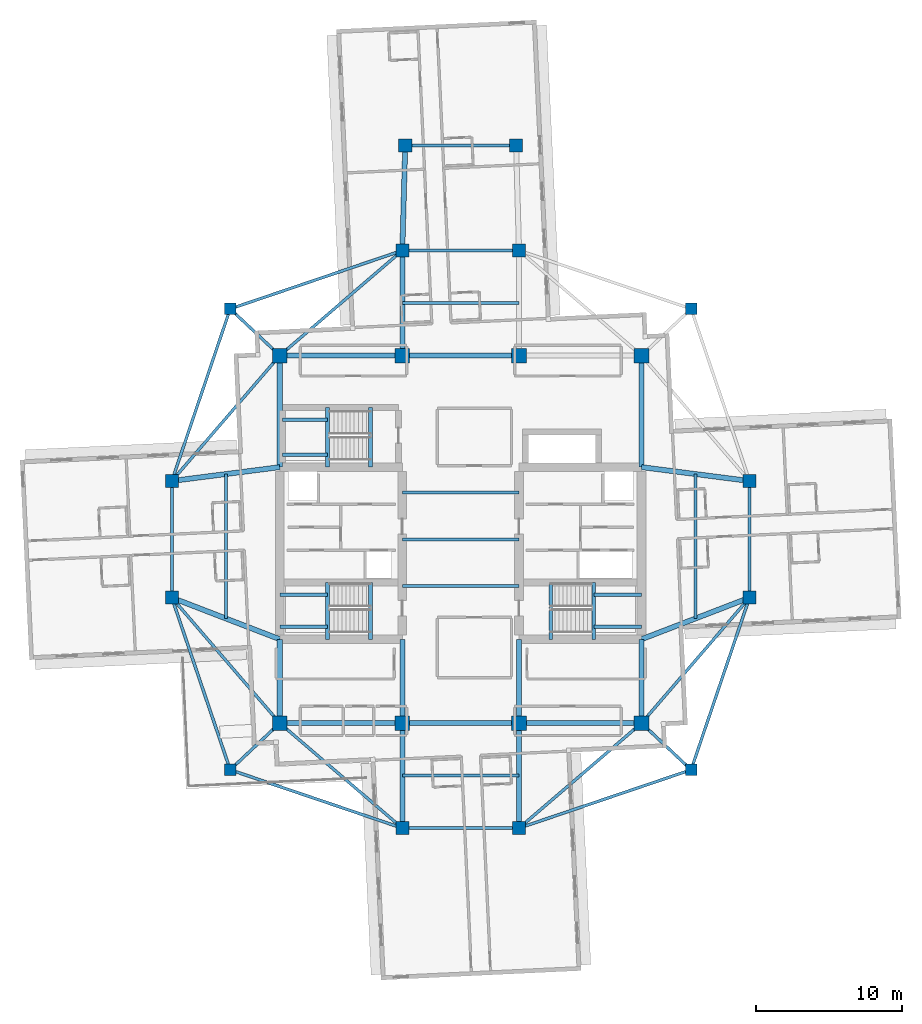
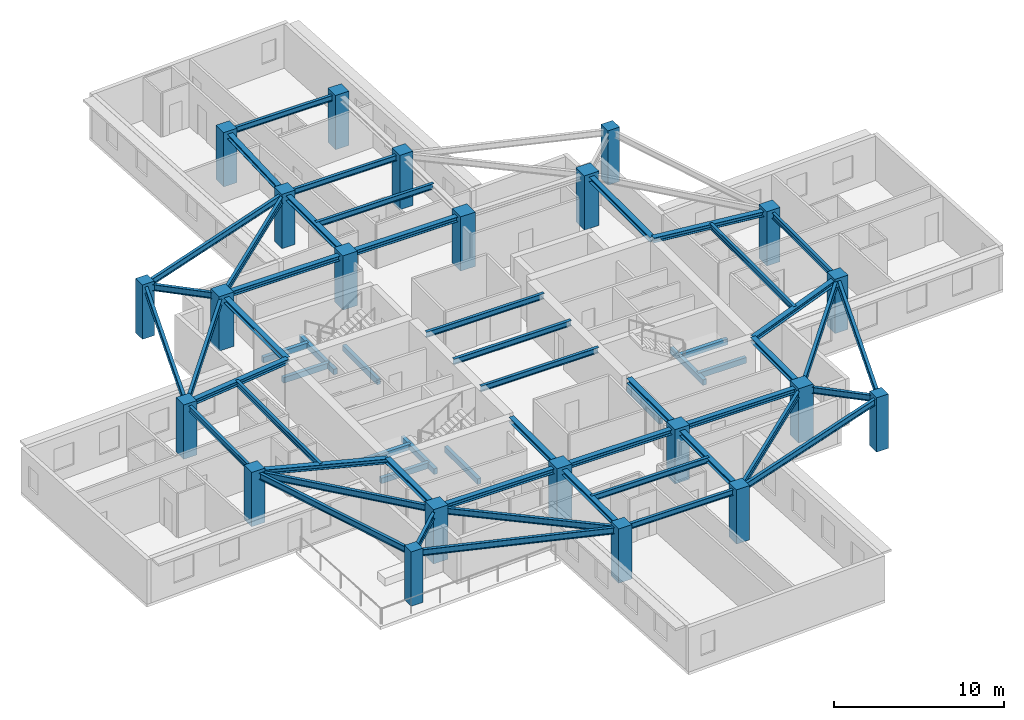
# One storey, part 1 of 12: 58 beams, 22 columns.
"""IFC4 building model written with IfcOpenShell, lengths in metres."""

from ifc_helpers import new_model, si_unit, direction, frame, origin, origin_2d, place, context, subcontext, project, spatial, rectangle, i_section, extrude, material, material_profile, profile_set, type_object, element, save


model = new_model("IFC4")

# Units and contexts
model_context = context("Model", 3, precision=1e-05, world=origin(), true_north=direction((0.0, 1.0)))
body_context = subcontext(model_context, "Body", "Model", "MODEL_VIEW")
ifc_project = project(units=[si_unit("LENGTHUNIT", "METRE"), si_unit("AREAUNIT", "SQUARE_METRE"), si_unit("VOLUMEUNIT", "CUBIC_METRE"), si_unit("PLANEANGLEUNIT", "RADIAN"), si_unit("MASSUNIT", "GRAM", prefix="KILO")], contexts=[model_context])

# Site, building, storey
site_placement = place(None, origin())
site = spatial("IfcSite", under=ifc_project, at=site_placement, CompositionType="ELEMENT")
building_placement = place(site_placement, origin())
building = spatial("IfcBuilding", under=site, at=building_placement, Name="Qingluan Cross Belvedere", CompositionType="ELEMENT")
storey_placement = place(building_placement, frame((0.0, 0.0, 213.0)))
storey = spatial("IfcBuildingStorey", under=building, at=storey_placement, Name="L53", CompositionType="ELEMENT", Elevation=213.0)

# Columns
ifc_material_1 = material(Name="Concrete C50", Category="concrete")
ifc_material_profile_1 = material_profile(ifc_material_1, rectangle(XDim=1.0, YDim=1.0, at=origin_2d()), Name="RC1000x1000")
ifc_profile_set_1 = profile_set([ifc_material_profile_1], Name="Concrete C50")
column_type_1 = type_object("IfcColumnType", Name="Column_RC1000x1000", PredefinedType="COLUMN", material=ifc_profile_set_1)
for number, where, z_axis, x_axis, name in (
    (1, (-12.39990234375, -12.60009765625, 0.0), (0.0, 0.0, 1.0), (1.0, 0.0, 0.0), "Hub column L53-HC1"),
    (2, (12.39990234375, -12.60009765625, 0.0), (0.0, 0.0, 1.0), (1.0, 0.0, 0.0), "Hub column L53-HC2"),
    (3, (12.39990234375, 12.60009765625, 0.0), (0.0, 0.0, 1.0), (1.0, 0.0, 0.0), "Hub column L53-HC3"),
    (4, (-12.39990234375, 12.60009765625, 0.0), (0.0, 0.0, 1.0), (1.0, 0.0, 0.0), "Hub column L53-HC4"),
    (5, (-4.0, -12.60009765625, 0.0), (0.0, 0.0, 1.0), (1.0, 0.0, 0.0), "Hub column L53-HC5"),
    (6, (4.0, -12.60009765625, 0.0), (0.0, 0.0, 1.0), (1.0, 0.0, 0.0), "Hub column L53-HC6"),
    (7, (4.0, 12.60009765625, 0.0), (0.0, 0.0, 1.0), (1.0, 0.0, 0.0), "Hub column L53-HC7"),
    (8, (-4.0, 12.60009765625, 0.0), (0.0, 0.0, 1.0), (1.0, 0.0, 0.0), "Hub column L53-HC8"),
):
    element("IfcColumn", number, at=place(storey_placement, frame(where, z_axis=z_axis, x_axis=x_axis)), inside=storey, type_object=column_type_1, Name=name, PredefinedType="COLUMN", context=body_context, shape_type="SweptSolid", body=[
        extrude(rectangle(XDim=1.0, YDim=1.0, at=origin_2d()), origin(), (0.0, 0.0, 1.0), 3.89990234375),
    ])
ifc_material_2 = material(Name="Concrete C50", Category="concrete")
ifc_material_profile_2 = material_profile(ifc_material_2, rectangle(XDim=0.800048828125, YDim=0.800048828125, at=origin_2d()), Name="RC800x800")
ifc_profile_set_2 = profile_set([ifc_material_profile_2], Name="Concrete C50")
column_type_2 = type_object("IfcColumnType", Name="Column_RC800x800", PredefinedType="COLUMN", material=ifc_profile_set_2)
for number, where, z_axis, x_axis, name in (
    (9, (15.800048828125, 15.800048828125, 0.0), (0.0, 0.0, 1.0), (1.0, 0.0, 0.0), "Corner column L53-RNE"),
    (10, (-15.800048828125, 15.800048828125, 0.0), (0.0, 0.0, 1.0), (1.0, 0.0, 0.0), "Corner column L53-RNW"),
    (11, (-15.800048828125, -15.800048828125, 0.0), (0.0, 0.0, 1.0), (1.0, 0.0, 0.0), "Corner column L53-RSW"),
    (12, (15.800048828125, -15.800048828125, 0.0), (0.0, 0.0, 1.0), (1.0, 0.0, 0.0), "Corner column L53-RSE"),
):
    element("IfcColumn", number, at=place(storey_placement, frame(where, z_axis=z_axis, x_axis=x_axis)), inside=storey, type_object=column_type_2, Name=name, PredefinedType="COLUMN", context=body_context, shape_type="SweptSolid", body=[
        extrude(rectangle(XDim=0.800048828125, YDim=0.800048828125, at=origin_2d()), origin(), (0.0, 0.0, 1.0), 3.89990234375),
    ])
ifc_material_3 = material(Name="Concrete C50", Category="concrete")
ifc_material_profile_3 = material_profile(ifc_material_3, rectangle(XDim=0.89990234375, YDim=0.89990234375, at=origin_2d()), Name="RC900x900")
ifc_profile_set_3 = profile_set([ifc_material_profile_3], Name="Concrete C50")
column_type_3 = type_object("IfcColumnType", Name="Column_RC900x900", PredefinedType="COLUMN", material=ifc_profile_set_3)
for number, where, z_axis, x_axis, name in (
    (13, (19.800048828125, -4.0, 0.0), (0.0, 0.0, 1.0), (1.0, 0.0, 0.0), "Arm column L53-EIA"),
    (14, (19.800048828125, 4.0, 0.0), (0.0, 0.0, 1.0), (1.0, 0.0, 0.0), "Arm column L53-EIB"),
    (15, (-19.800048828125, -4.0, 0.0), (0.0, 0.0, 1.0), (1.0, 0.0, 0.0), "Arm column L53-WIA"),
    (16, (-19.800048828125, 4.0, 0.0), (0.0, 0.0, 1.0), (1.0, 0.0, 0.0), "Arm column L53-WIB"),
    (17, (-4.0, -19.800048828125, 0.0), (0.0, 0.0, 1.0), (1.0, 0.0, 0.0), "Arm column L53-SIA"),
    (18, (4.0, -19.800048828125, 0.0), (0.0, 0.0, 1.0), (1.0, 0.0, 0.0), "Arm column L53-SIB"),
    (19, (-4.0, 19.800048828125, 0.0), (0.0, 0.0, 1.0), (1.0, 0.0, 0.0), "Arm column L53-NIA"),
    (20, (4.0, 19.800048828125, 0.0), (0.0, 0.0, 1.0), (1.0, 0.0, 0.0), "Arm column L53-NIB"),
    (21, (-3.800048828125, 27.0, 0.0), (0.0, 0.0, 1.0), (1.0, 0.0, 0.0), "Arm column L53-NOA"),
    (22, (3.800048828125, 27.0, 0.0), (0.0, 0.0, 1.0), (1.0, 0.0, 0.0), "Arm column L53-NOB"),
):
    element("IfcColumn", number, at=place(storey_placement, frame(where, z_axis=z_axis, x_axis=x_axis)), inside=storey, type_object=column_type_3, Name=name, PredefinedType="COLUMN", context=body_context, shape_type="SweptSolid", body=[
        extrude(rectangle(XDim=0.89990234375, YDim=0.89990234375, at=origin_2d()), origin(), (0.0, 0.0, 1.0), 3.89990234375),
    ])

# Beams
ifc_material_4 = material(Name="Concrete C45", Category="concrete")
ifc_material_profile_4 = material_profile(ifc_material_4, rectangle(XDim=0.25, YDim=0.39990234375, at=origin_2d()), Name="RC250x400")
ifc_profile_set_4 = profile_set([ifc_material_profile_4], Name="Concrete C45")
beam_type_1 = type_object("IfcBeamType", Name="RC_Lintel_RC250x400", PredefinedType="LINTEL", material=ifc_profile_set_4)
for number, where, z_axis, x_axis, name in (
    (23, (-6.179931640625, -6.85009765625, -0.199951171875), (0.0, 1.0, 0.0), (-1.0, 0.0, 0.0), "Stair ST1 landing beam L53"),
    (24, (6.179931640625, -6.85009765625, -0.199951171875), (0.0, 1.0, 0.0), (-1.0, 0.0, 0.0), "Stair ST2 landing beam L53"),
):
    element("IfcBeam", number, at=place(storey_placement, frame(where, z_axis=z_axis, x_axis=x_axis)), inside=storey, type_object=beam_type_1, Name=name, PredefinedType="LINTEL", context=body_context, shape_type="SweptSolid", body=[
        extrude(rectangle(XDim=0.25, YDim=0.39990234375, at=origin_2d()), origin(), (0.0, 0.0, 1.0), 3.89013671875),
    ])
beam_1_placement = place(storey_placement, frame((-6.179931640625, 4.949951171875, -0.199951171875), z_axis=(0.0, 1.0, 0.0), x_axis=(-1.0, 0.0, 0.0)))
element("IfcBeam", 25, at=beam_1_placement, inside=storey, type_object=beam_type_1, Name="Stair ST3 landing beam L53", PredefinedType="LINTEL", context=body_context, shape_type="SweptSolid", body=[
    extrude(rectangle(XDim=0.25, YDim=0.39990234375, at=origin_2d()), origin(), (0.0, 0.0, 1.0), 4.090087890625),
])
beam_2_placement = place(storey_placement, frame((-9.1298828125, -6.85009765625, 1.550048828125), z_axis=(0.0, 1.0, 0.0), x_axis=(-1.0, 0.0, 0.0)))
element("IfcBeam", 26, at=beam_2_placement, inside=storey, type_object=beam_type_1, Name="Stair ST1 beam A L53", PredefinedType="LINTEL", context=body_context, shape_type="SweptSolid", body=[
    extrude(rectangle(XDim=0.25, YDim=0.39990234375, at=origin_2d()), origin(), (0.0, 0.0, 1.0), 3.89013671875),
])
for number, where, z_axis, x_axis, name in (
    (27, (-12.39990234375, -6.0, 1.550048828125), (1.0, 0.0, 0.0), (0.0, 1.0, 0.0), "Stair ST1 beam B L53"),
    (28, (-12.39990234375, -3.81005859375, 1.550048828125), (1.0, 0.0, 0.0), (0.0, 1.0, 0.0), "Stair ST1 beam C L53"),
):
    element("IfcBeam", number, at=place(storey_placement, frame(where, z_axis=z_axis, x_axis=x_axis)), inside=storey, type_object=beam_type_1, Name=name, PredefinedType="LINTEL", context=body_context, shape_type="SweptSolid", body=[
        extrude(rectangle(XDim=0.25, YDim=0.39990234375, at=origin_2d()), origin(), (0.0, 0.0, 1.0), 3.27001953125),
    ])
beam_3_placement = place(storey_placement, frame((9.1298828125, -6.85009765625, 1.550048828125), z_axis=(0.0, 1.0, 0.0), x_axis=(-1.0, 0.0, 0.0)))
element("IfcBeam", 29, at=beam_3_placement, inside=storey, type_object=beam_type_1, Name="Stair ST2 beam A L53", PredefinedType="LINTEL", context=body_context, shape_type="SweptSolid", body=[
    extrude(rectangle(XDim=0.25, YDim=0.39990234375, at=origin_2d()), origin(), (0.0, 0.0, 1.0), 3.89013671875),
])
for number, where, z_axis, x_axis, name in (
    (30, (12.39990234375, -6.0, 1.550048828125), (-1.0, 0.0, 0.0), (0.0, -1.0, 0.0), "Stair ST2 beam B L53"),
    (31, (12.39990234375, -3.81005859375, 1.550048828125), (-1.0, 0.0, 0.0), (0.0, -1.0, 0.0), "Stair ST2 beam C L53"),
):
    element("IfcBeam", number, at=place(storey_placement, frame(where, z_axis=z_axis, x_axis=x_axis)), inside=storey, type_object=beam_type_1, Name=name, PredefinedType="LINTEL", context=body_context, shape_type="SweptSolid", body=[
        extrude(rectangle(XDim=0.25, YDim=0.39990234375, at=origin_2d()), origin(), (0.0, 0.0, 1.0), 3.27001953125),
    ])
beam_4_placement = place(storey_placement, frame((-9.1298828125, 4.949951171875, 1.550048828125), z_axis=(0.0, 1.0, 0.0), x_axis=(-1.0, 0.0, 0.0)))
element("IfcBeam", 32, at=beam_4_placement, inside=storey, type_object=beam_type_1, Name="Stair ST3 beam A L53", PredefinedType="LINTEL", context=body_context, shape_type="SweptSolid", body=[
    extrude(rectangle(XDim=0.25, YDim=0.39990234375, at=origin_2d()), origin(), (0.0, 0.0, 1.0), 4.090087890625),
])
for number, where, z_axis, x_axis, name in (
    (33, (-12.219970703125, 5.800048828125, 1.550048828125), (1.0, 0.0, 0.0), (0.0, 1.0, 0.0), "Stair ST3 beam B L53"),
    (34, (-12.219970703125, 8.18994140625, 1.550048828125), (1.0, 0.0, 0.0), (0.0, 1.0, 0.0), "Stair ST3 beam C L53"),
):
    element("IfcBeam", number, at=place(storey_placement, frame(where, z_axis=z_axis, x_axis=x_axis)), inside=storey, type_object=beam_type_1, Name=name, PredefinedType="LINTEL", context=body_context, shape_type="SweptSolid", body=[
        extrude(rectangle(XDim=0.25, YDim=0.39990234375, at=origin_2d()), origin(), (0.0, 0.0, 1.0), 3.090087890625),
    ])
ifc_material_5 = material(Name="Steel Q420GJB", Category="steel")
ifc_material_profile_5 = material_profile(ifc_material_5, i_section(OverallWidth=0.199951171875, OverallDepth=0.39990234375, WebThickness=0.008056640625, FlangeThickness=0.012939453125, FilletRadius=0.012939453125, at=origin_2d()), Name="HN400x200x8x13")
ifc_profile_set_5 = profile_set([ifc_material_profile_5], Name="Steel Q420GJB")
beam_type_2 = type_object("IfcBeamType", Name="Steel_Beam_HN400x200x8x13", PredefinedType="JOIST", material=ifc_profile_set_5)
for number, where, z_axis, x_axis, name in (
    (35, (-4.0, -3.199951171875, 3.5), (1.0, 0.0, 0.0), (0.0, 1.0, 0.0), "Hall beam L53-CH1"),
    (36, (-4.0, 0.0, 3.5), (1.0, 0.0, 0.0), (0.0, 1.0, 0.0), "Hall beam L53-CH2"),
    (37, (-4.0, 3.199951171875, 3.5), (1.0, 0.0, 0.0), (0.0, 1.0, 0.0), "Hall beam L53-CH3"),
    (38, (19.800048828125, -4.0, 3.5), (0.0, 1.0, 0.0), (-1.0, 0.0, 0.0), "Arm E tie L53"),
):
    element("IfcBeam", number, at=place(storey_placement, frame(where, z_axis=z_axis, x_axis=x_axis)), inside=storey, type_object=beam_type_2, Name=name, PredefinedType="JOIST", context=body_context, shape_type="SweptSolid", body=[
        extrude(i_section(OverallWidth=0.199951171875, OverallDepth=0.39990234375, WebThickness=0.008056640625, FlangeThickness=0.012939453125, FilletRadius=0.012939453125, at=origin_2d()), origin(), (0.0, 0.0, 1.0), 8.0),
    ])
beam_5_placement = place(storey_placement, frame((16.10009765625, -5.425048828125, 3.5), z_axis=(0.0, 1.0, 0.0), x_axis=(-1.0, 0.0, 0.0)))
element("IfcBeam", 39, at=beam_5_placement, inside=storey, type_object=beam_type_2, Name="Arm E beam L53", PredefinedType="JOIST", context=body_context, shape_type="SweptSolid", body=[
    extrude(i_section(OverallWidth=0.199951171875, OverallDepth=0.39990234375, WebThickness=0.008056640625, FlangeThickness=0.012939453125, FilletRadius=0.012939453125, at=origin_2d()), origin(), (0.0, 0.0, 1.0), 9.900146484375),
])
beam_6_placement = place(storey_placement, frame((-19.800048828125, -4.0, 3.5), z_axis=(0.0, 1.0, 0.0), x_axis=(-1.0, 0.0, 0.0)))
element("IfcBeam", 40, at=beam_6_placement, inside=storey, type_object=beam_type_2, Name="Arm W tie L53", PredefinedType="JOIST", context=body_context, shape_type="SweptSolid", body=[
    extrude(i_section(OverallWidth=0.199951171875, OverallDepth=0.39990234375, WebThickness=0.008056640625, FlangeThickness=0.012939453125, FilletRadius=0.012939453125, at=origin_2d()), origin(), (0.0, 0.0, 1.0), 8.0),
])
beam_7_placement = place(storey_placement, frame((-16.10009765625, -5.425048828125, 3.5), z_axis=(0.0, 1.0, 0.0), x_axis=(-1.0, 0.0, 0.0)))
element("IfcBeam", 41, at=beam_7_placement, inside=storey, type_object=beam_type_2, Name="Arm W beam L53", PredefinedType="JOIST", context=body_context, shape_type="SweptSolid", body=[
    extrude(i_section(OverallWidth=0.199951171875, OverallDepth=0.39990234375, WebThickness=0.008056640625, FlangeThickness=0.012939453125, FilletRadius=0.012939453125, at=origin_2d()), origin(), (0.0, 0.0, 1.0), 9.900146484375),
])
for number, where, z_axis, x_axis, name in (
    (42, (-4.0, 19.800048828125, 3.5), (1.0, 0.0, 0.0), (0.0, 1.0, 0.0), "Arm N tie L53"),
    (43, (-4.0, 16.199951171875, 3.5), (1.0, 0.0, 0.0), (0.0, 1.0, 0.0), "Arm N beam L53"),
):
    element("IfcBeam", number, at=place(storey_placement, frame(where, z_axis=z_axis, x_axis=x_axis)), inside=storey, type_object=beam_type_2, Name=name, PredefinedType="JOIST", context=body_context, shape_type="SweptSolid", body=[
        extrude(i_section(OverallWidth=0.199951171875, OverallDepth=0.39990234375, WebThickness=0.008056640625, FlangeThickness=0.012939453125, FilletRadius=0.012939453125, at=origin_2d()), origin(), (0.0, 0.0, 1.0), 8.0),
    ])
beam_8_placement = place(storey_placement, frame((-3.800048828125, 27.0, 3.5), z_axis=(1.0, 0.0, 0.0), x_axis=(0.0, 1.0, 0.0)))
element("IfcBeam", 44, at=beam_8_placement, inside=storey, type_object=beam_type_2, Name="Arm N tip transverse beam L53", PredefinedType="JOIST", context=body_context, shape_type="SweptSolid", body=[
    extrude(i_section(OverallWidth=0.199951171875, OverallDepth=0.39990234375, WebThickness=0.008056640625, FlangeThickness=0.012939453125, FilletRadius=0.012939453125, at=origin_2d()), origin(), (0.0, 0.0, 1.0), 7.60009765625),
])
for number, where, z_axis, x_axis, name in (
    (45, (-4.0, -19.800048828125, 3.5), (1.0, 0.0, 0.0), (0.0, 1.0, 0.0), "Arm S tie L53"),
    (46, (-4.0, -16.199951171875, 3.5), (1.0, 0.0, 0.0), (0.0, 1.0, 0.0), "Arm S beam L53"),
):
    element("IfcBeam", number, at=place(storey_placement, frame(where, z_axis=z_axis, x_axis=x_axis)), inside=storey, type_object=beam_type_2, Name=name, PredefinedType="JOIST", context=body_context, shape_type="SweptSolid", body=[
        extrude(i_section(OverallWidth=0.199951171875, OverallDepth=0.39990234375, WebThickness=0.008056640625, FlangeThickness=0.012939453125, FilletRadius=0.012939453125, at=origin_2d()), origin(), (0.0, 0.0, 1.0), 8.0),
    ])
ifc_material_6 = material(Name="Steel Q420GJB", Category="steel")
ifc_material_profile_6 = material_profile(ifc_material_6, i_section(OverallWidth=0.199951171875, OverallDepth=0.449951171875, WebThickness=0.009033203125, FlangeThickness=0.013916015625, FilletRadius=0.01611328125, at=origin_2d()), Name="HN450x200x9x14")
ifc_profile_set_6 = profile_set([ifc_material_profile_6], Name="Steel Q420GJB")
beam_type_3 = type_object("IfcBeamType", Name="Steel_Beam_HN450x200x9x14", PredefinedType="JOIST", material=ifc_profile_set_6)
beam_9_placement = place(storey_placement, frame((-12.39990234375, 12.60009765625, 3.47509765625), z_axis=(-0.728219948308, 0.685343495546, 0.0), x_axis=(-0.685343495546, -0.728219948308, 0.0)))
element("IfcBeam", 47, at=beam_9_placement, inside=storey, type_object=beam_type_3, Name="Corner beam 1 L53-RNW", PredefinedType="JOIST", context=body_context, shape_type="SweptSolid", body=[
    extrude(i_section(OverallWidth=0.199951171875, OverallDepth=0.449951171875, WebThickness=0.009033203125, FlangeThickness=0.013916015625, FilletRadius=0.01611328125, at=origin_2d()), origin(), (0.0, 0.0, 1.0), 4.669189453125),
])
for number, where, z_axis, x_axis, name in (
    (48, (-15.800048828125, 15.800048828125, 3.47509765625), (0.947066283324, 0.321038089628, 0.0), (-0.321038089628, 0.947066283324, 0.0), "Corner beam 2 L53-RNW"),
    (49, (-15.800048828125, 15.800048828125, 3.47509765625), (-0.321038089628, -0.947066283324, 0.0), (0.947066283324, -0.321038089628, 0.0), "Corner beam 3 L53-RNW"),
):
    element("IfcBeam", number, at=place(storey_placement, frame(where, z_axis=z_axis, x_axis=x_axis)), inside=storey, type_object=beam_type_3, Name=name, PredefinedType="JOIST", context=body_context, shape_type="SweptSolid", body=[
        extrude(i_section(OverallWidth=0.199951171875, OverallDepth=0.449951171875, WebThickness=0.009033203125, FlangeThickness=0.013916015625, FilletRadius=0.01611328125, at=origin_2d()), origin(), (0.0, 0.0, 1.0), 12.45947265625),
    ])
beam_10_placement = place(storey_placement, frame((-12.39990234375, 12.60009765625, 3.47509765625), z_axis=(-0.652245077546, -0.75800815221, 0.0), x_axis=(0.75800815221, -0.652245077546, 0.0)))
element("IfcBeam", 50, at=beam_10_placement, inside=storey, type_object=beam_type_3, Name="Corner beam 4 L53-RNW", PredefinedType="JOIST", context=body_context, shape_type="SweptSolid", body=[
    extrude(i_section(OverallWidth=0.199951171875, OverallDepth=0.449951171875, WebThickness=0.009033203125, FlangeThickness=0.013916015625, FilletRadius=0.01611328125, at=origin_2d()), origin(), (0.0, 0.0, 1.0), 11.345703125),
])
beam_11_placement = place(storey_placement, frame((-12.39990234375, 12.60009765625, 3.47509765625), z_axis=(0.759255044656, 0.650793190779, 0.0), x_axis=(-0.650793190779, 0.759255044656, 0.0)))
element("IfcBeam", 51, at=beam_11_placement, inside=storey, type_object=beam_type_3, Name="Corner beam 5 L53-RNW", PredefinedType="JOIST", context=body_context, shape_type="SweptSolid", body=[
    extrude(i_section(OverallWidth=0.199951171875, OverallDepth=0.449951171875, WebThickness=0.009033203125, FlangeThickness=0.013916015625, FilletRadius=0.01611328125, at=origin_2d()), origin(), (0.0, 0.0, 1.0), 11.063232421875),
])
beam_12_placement = place(storey_placement, frame((-12.39990234375, -12.60009765625, 3.455078125), z_axis=(-0.728219948308, -0.685343495546, 0.0), x_axis=(0.685343495546, -0.728219948308, 0.0)))
element("IfcBeam", 52, at=beam_12_placement, inside=storey, type_object=beam_type_3, Name="Corner beam 1 L53-RSW", PredefinedType="JOIST", context=body_context, shape_type="SweptSolid", body=[
    extrude(i_section(OverallWidth=0.199951171875, OverallDepth=0.449951171875, WebThickness=0.009033203125, FlangeThickness=0.013916015625, FilletRadius=0.01611328125, at=origin_2d()), origin(), (0.0, 0.0, 1.0), 4.669189453125),
])
for number, where, z_axis, x_axis, name in (
    (53, (-15.800048828125, -15.800048828125, 3.455078125), (0.947066283324, -0.321038089628, 0.0), (0.321038089628, 0.947066283324, 0.0), "Corner beam 2 L53-RSW"),
    (54, (-15.800048828125, -15.800048828125, 3.455078125), (-0.321038089628, 0.947066283324, 0.0), (-0.947066283324, -0.321038089628, 0.0), "Corner beam 3 L53-RSW"),
):
    element("IfcBeam", number, at=place(storey_placement, frame(where, z_axis=z_axis, x_axis=x_axis)), inside=storey, type_object=beam_type_3, Name=name, PredefinedType="JOIST", context=body_context, shape_type="SweptSolid", body=[
        extrude(i_section(OverallWidth=0.199951171875, OverallDepth=0.449951171875, WebThickness=0.009033203125, FlangeThickness=0.013916015625, FilletRadius=0.01611328125, at=origin_2d()), origin(), (0.0, 0.0, 1.0), 12.45947265625),
    ])
beam_13_placement = place(storey_placement, frame((-12.39990234375, -12.60009765625, 3.455078125), z_axis=(-0.652245077546, 0.75800815221, 0.0), x_axis=(-0.75800815221, -0.652245077546, 0.0)))
element("IfcBeam", 55, at=beam_13_placement, inside=storey, type_object=beam_type_3, Name="Corner beam 4 L53-RSW", PredefinedType="JOIST", context=body_context, shape_type="SweptSolid", body=[
    extrude(i_section(OverallWidth=0.199951171875, OverallDepth=0.449951171875, WebThickness=0.009033203125, FlangeThickness=0.013916015625, FilletRadius=0.01611328125, at=origin_2d()), origin(), (0.0, 0.0, 1.0), 11.345703125),
])
beam_14_placement = place(storey_placement, frame((-12.39990234375, -12.60009765625, 3.455078125), z_axis=(0.759255044656, -0.650793190779, 0.0), x_axis=(0.650793190779, 0.759255044656, 0.0)))
element("IfcBeam", 56, at=beam_14_placement, inside=storey, type_object=beam_type_3, Name="Corner beam 5 L53-RSW", PredefinedType="JOIST", context=body_context, shape_type="SweptSolid", body=[
    extrude(i_section(OverallWidth=0.199951171875, OverallDepth=0.449951171875, WebThickness=0.009033203125, FlangeThickness=0.013916015625, FilletRadius=0.01611328125, at=origin_2d()), origin(), (0.0, 0.0, 1.0), 11.063232421875),
])
beam_15_placement = place(storey_placement, frame((12.39990234375, -12.60009765625, 3.47509765625), z_axis=(0.728219948308, -0.685343495546, 0.0), x_axis=(0.685343495546, 0.728219948308, 0.0)))
element("IfcBeam", 57, at=beam_15_placement, inside=storey, type_object=beam_type_3, Name="Corner beam 1 L53-RSE", PredefinedType="JOIST", context=body_context, shape_type="SweptSolid", body=[
    extrude(i_section(OverallWidth=0.199951171875, OverallDepth=0.449951171875, WebThickness=0.009033203125, FlangeThickness=0.013916015625, FilletRadius=0.01611328125, at=origin_2d()), origin(), (0.0, 0.0, 1.0), 4.669189453125),
])
for number, where, z_axis, x_axis, name in (
    (58, (15.800048828125, -15.800048828125, 3.47509765625), (-0.947066283324, -0.321038089628, 0.0), (0.321038089628, -0.947066283324, 0.0), "Corner beam 2 L53-RSE"),
    (59, (15.800048828125, -15.800048828125, 3.47509765625), (0.321038089628, 0.947066283324, 0.0), (-0.947066283324, 0.321038089628, 0.0), "Corner beam 3 L53-RSE"),
):
    element("IfcBeam", number, at=place(storey_placement, frame(where, z_axis=z_axis, x_axis=x_axis)), inside=storey, type_object=beam_type_3, Name=name, PredefinedType="JOIST", context=body_context, shape_type="SweptSolid", body=[
        extrude(i_section(OverallWidth=0.199951171875, OverallDepth=0.449951171875, WebThickness=0.009033203125, FlangeThickness=0.013916015625, FilletRadius=0.01611328125, at=origin_2d()), origin(), (0.0, 0.0, 1.0), 12.45947265625),
    ])
beam_16_placement = place(storey_placement, frame((12.39990234375, -12.60009765625, 3.47509765625), z_axis=(0.652245077546, 0.75800815221, 0.0), x_axis=(-0.75800815221, 0.652245077546, 0.0)))
element("IfcBeam", 60, at=beam_16_placement, inside=storey, type_object=beam_type_3, Name="Corner beam 4 L53-RSE", PredefinedType="JOIST", context=body_context, shape_type="SweptSolid", body=[
    extrude(i_section(OverallWidth=0.199951171875, OverallDepth=0.449951171875, WebThickness=0.009033203125, FlangeThickness=0.013916015625, FilletRadius=0.01611328125, at=origin_2d()), origin(), (0.0, 0.0, 1.0), 11.345703125),
])
beam_17_placement = place(storey_placement, frame((12.39990234375, -12.60009765625, 3.47509765625), z_axis=(-0.759255044656, -0.650793190779, 0.0), x_axis=(0.650793190779, -0.759255044656, 0.0)))
element("IfcBeam", 61, at=beam_17_placement, inside=storey, type_object=beam_type_3, Name="Corner beam 5 L53-RSE", PredefinedType="JOIST", context=body_context, shape_type="SweptSolid", body=[
    extrude(i_section(OverallWidth=0.199951171875, OverallDepth=0.449951171875, WebThickness=0.009033203125, FlangeThickness=0.013916015625, FilletRadius=0.01611328125, at=origin_2d()), origin(), (0.0, 0.0, 1.0), 11.063232421875),
])
ifc_material_7 = material(Name="Steel Q420GJB", Category="steel")
ifc_material_profile_7 = material_profile(ifc_material_7, i_section(OverallWidth=0.35009765625, OverallDepth=0.35009765625, WebThickness=0.011962890625, FlangeThickness=0.01904296875, FilletRadius=0.02001953125, at=origin_2d()), Name="HW350x350x12x19")
ifc_profile_set_7 = profile_set([ifc_material_profile_7], Name="Steel Q420GJB")
beam_type_4 = type_object("IfcBeamType", Name="Steel_Girder_HW350x350x12x19", PredefinedType="USERDEFINED", material=ifc_profile_set_7)
beam_18_placement = place(storey_placement, frame((-12.39990234375, -12.60009765625, 3.52490234375), z_axis=(1.0, 0.0, 0.0), x_axis=(0.0, 1.0, 0.0)))
element("IfcBeam", 62, at=beam_18_placement, inside=storey, type_object=beam_type_4, Name="Hub girder L53-HG-S1", ObjectType="GIRDER", PredefinedType="USERDEFINED", context=body_context, shape_type="SweptSolid", body=[
    extrude(i_section(OverallWidth=0.35009765625, OverallDepth=0.35009765625, WebThickness=0.011962890625, FlangeThickness=0.01904296875, FilletRadius=0.02001953125, at=origin_2d()), origin(), (0.0, 0.0, 1.0), 8.39990234375),
])
beam_19_placement = place(storey_placement, frame((-4.0, -12.60009765625, 3.52490234375), z_axis=(1.0, 0.0, 0.0), x_axis=(0.0, 1.0, 0.0)))
element("IfcBeam", 63, at=beam_19_placement, inside=storey, type_object=beam_type_4, Name="Hub girder L53-HG-S2", ObjectType="GIRDER", PredefinedType="USERDEFINED", context=body_context, shape_type="SweptSolid", body=[
    extrude(i_section(OverallWidth=0.35009765625, OverallDepth=0.35009765625, WebThickness=0.011962890625, FlangeThickness=0.01904296875, FilletRadius=0.02001953125, at=origin_2d()), origin(), (0.0, 0.0, 1.0), 8.0),
])
for number, where, z_axis, x_axis, name in (
    (64, (4.0, -12.60009765625, 3.52490234375), (1.0, 0.0, 0.0), (0.0, 1.0, 0.0), "Hub girder L53-HG-S3"),
    (65, (-12.39990234375, 12.60009765625, 3.52490234375), (1.0, 0.0, 0.0), (0.0, 1.0, 0.0), "Hub girder L53-HG-N1"),
):
    element("IfcBeam", number, at=place(storey_placement, frame(where, z_axis=z_axis, x_axis=x_axis)), inside=storey, type_object=beam_type_4, Name=name, ObjectType="GIRDER", PredefinedType="USERDEFINED", context=body_context, shape_type="SweptSolid", body=[
        extrude(i_section(OverallWidth=0.35009765625, OverallDepth=0.35009765625, WebThickness=0.011962890625, FlangeThickness=0.01904296875, FilletRadius=0.02001953125, at=origin_2d()), origin(), (0.0, 0.0, 1.0), 8.39990234375),
    ])
beam_20_placement = place(storey_placement, frame((-4.0, 12.60009765625, 3.52490234375), z_axis=(1.0, 0.0, 0.0), x_axis=(0.0, 1.0, 0.0)))
element("IfcBeam", 66, at=beam_20_placement, inside=storey, type_object=beam_type_4, Name="Hub girder L53-HG-N2", ObjectType="GIRDER", PredefinedType="USERDEFINED", context=body_context, shape_type="SweptSolid", body=[
    extrude(i_section(OverallWidth=0.35009765625, OverallDepth=0.35009765625, WebThickness=0.011962890625, FlangeThickness=0.01904296875, FilletRadius=0.02001953125, at=origin_2d()), origin(), (0.0, 0.0, 1.0), 8.0),
])
beam_21_placement = place(storey_placement, frame((-12.39990234375, -12.60009765625, 3.52490234375), z_axis=(0.0, 1.0, 0.0), x_axis=(-1.0, 0.0, 0.0)))
element("IfcBeam", 67, at=beam_21_placement, inside=storey, type_object=beam_type_4, Name="Hub girder L53-HG-W1", ObjectType="GIRDER", PredefinedType="USERDEFINED", context=body_context, shape_type="SweptSolid", body=[
    extrude(i_section(OverallWidth=0.35009765625, OverallDepth=0.35009765625, WebThickness=0.011962890625, FlangeThickness=0.01904296875, FilletRadius=0.02001953125, at=origin_2d()), origin(), (0.0, 0.0, 1.0), 5.75),
])
beam_22_placement = place(storey_placement, frame((-12.39990234375, 4.949951171875, 3.52490234375), z_axis=(0.0, 1.0, 0.0), x_axis=(-1.0, 0.0, 0.0)))
element("IfcBeam", 68, at=beam_22_placement, inside=storey, type_object=beam_type_4, Name="Hub girder L53-HG-W2", ObjectType="GIRDER", PredefinedType="USERDEFINED", context=body_context, shape_type="SweptSolid", body=[
    extrude(i_section(OverallWidth=0.35009765625, OverallDepth=0.35009765625, WebThickness=0.011962890625, FlangeThickness=0.01904296875, FilletRadius=0.02001953125, at=origin_2d()), origin(), (0.0, 0.0, 1.0), 7.650146484375),
])
beam_23_placement = place(storey_placement, frame((12.39990234375, -12.60009765625, 3.52490234375), z_axis=(0.0, 1.0, 0.0), x_axis=(-1.0, 0.0, 0.0)))
element("IfcBeam", 69, at=beam_23_placement, inside=storey, type_object=beam_type_4, Name="Hub girder L53-HG-E1", ObjectType="GIRDER", PredefinedType="USERDEFINED", context=body_context, shape_type="SweptSolid", body=[
    extrude(i_section(OverallWidth=0.35009765625, OverallDepth=0.35009765625, WebThickness=0.011962890625, FlangeThickness=0.01904296875, FilletRadius=0.02001953125, at=origin_2d()), origin(), (0.0, 0.0, 1.0), 5.75),
])
beam_24_placement = place(storey_placement, frame((12.39990234375, 4.949951171875, 3.52490234375), z_axis=(0.0, 1.0, 0.0), x_axis=(-1.0, 0.0, 0.0)))
element("IfcBeam", 70, at=beam_24_placement, inside=storey, type_object=beam_type_4, Name="Hub girder L53-HG-E2", ObjectType="GIRDER", PredefinedType="USERDEFINED", context=body_context, shape_type="SweptSolid", body=[
    extrude(i_section(OverallWidth=0.35009765625, OverallDepth=0.35009765625, WebThickness=0.011962890625, FlangeThickness=0.01904296875, FilletRadius=0.02001953125, at=origin_2d()), origin(), (0.0, 0.0, 1.0), 7.650146484375),
])
for number, where, z_axis, x_axis, name in (
    (71, (-4.0, -12.60009765625, 3.52490234375), (0.0, 1.0, 0.0), (-1.0, 0.0, 0.0), "Hub girder L53-HG-CW"),
    (72, (4.0, -12.60009765625, 3.52490234375), (0.0, 1.0, 0.0), (-1.0, 0.0, 0.0), "Hub girder L53-HG-CE"),
):
    element("IfcBeam", number, at=place(storey_placement, frame(where, z_axis=z_axis, x_axis=x_axis)), inside=storey, type_object=beam_type_4, Name=name, ObjectType="GIRDER", PredefinedType="USERDEFINED", context=body_context, shape_type="SweptSolid", body=[
        extrude(i_section(OverallWidth=0.35009765625, OverallDepth=0.35009765625, WebThickness=0.011962890625, FlangeThickness=0.01904296875, FilletRadius=0.02001953125, at=origin_2d()), origin(), (0.0, 0.0, 1.0), 5.75),
    ])
beam_25_placement = place(storey_placement, frame((12.39990234375, -6.85009765625, 3.52490234375), z_axis=(0.933181258889, 0.359406090735, 0.0), x_axis=(-0.359406090735, 0.933181258889, 0.0)))
element("IfcBeam", 73, at=beam_25_placement, inside=storey, type_object=beam_type_4, Name="Arm E radial girder A L53", ObjectType="GIRDER", PredefinedType="USERDEFINED", context=body_context, shape_type="SweptSolid", body=[
    extrude(i_section(OverallWidth=0.35009765625, OverallDepth=0.35009765625, WebThickness=0.011962890625, FlangeThickness=0.01904296875, FilletRadius=0.02001953125, at=origin_2d()), origin(), (0.0, 0.0, 1.0), 7.929931640625),
])
beam_26_placement = place(storey_placement, frame((12.39990234375, 4.949951171875, 3.52490234375), z_axis=(0.991861120628, -0.12732445714, 0.0), x_axis=(0.12732445714, 0.991861120628, 0.0)))
element("IfcBeam", 74, at=beam_26_placement, inside=storey, type_object=beam_type_4, Name="Arm E radial girder B L53", ObjectType="GIRDER", PredefinedType="USERDEFINED", context=body_context, shape_type="SweptSolid", body=[
    extrude(i_section(OverallWidth=0.35009765625, OverallDepth=0.35009765625, WebThickness=0.011962890625, FlangeThickness=0.01904296875, FilletRadius=0.02001953125, at=origin_2d()), origin(), (0.0, 0.0, 1.0), 7.4609375),
])
beam_27_placement = place(storey_placement, frame((-12.39990234375, -6.85009765625, 3.52490234375), z_axis=(-0.933181258889, 0.359406090735, 0.0), x_axis=(-0.359406090735, -0.933181258889, 0.0)))
element("IfcBeam", 75, at=beam_27_placement, inside=storey, type_object=beam_type_4, Name="Arm W radial girder A L53", ObjectType="GIRDER", PredefinedType="USERDEFINED", context=body_context, shape_type="SweptSolid", body=[
    extrude(i_section(OverallWidth=0.35009765625, OverallDepth=0.35009765625, WebThickness=0.011962890625, FlangeThickness=0.01904296875, FilletRadius=0.02001953125, at=origin_2d()), origin(), (0.0, 0.0, 1.0), 7.929931640625),
])
beam_28_placement = place(storey_placement, frame((-12.39990234375, 4.949951171875, 3.52490234375), z_axis=(-0.991861120628, -0.12732445714, 0.0), x_axis=(0.12732445714, -0.991861120628, 0.0)))
element("IfcBeam", 76, at=beam_28_placement, inside=storey, type_object=beam_type_4, Name="Arm W radial girder B L53", ObjectType="GIRDER", PredefinedType="USERDEFINED", context=body_context, shape_type="SweptSolid", body=[
    extrude(i_section(OverallWidth=0.35009765625, OverallDepth=0.35009765625, WebThickness=0.011962890625, FlangeThickness=0.01904296875, FilletRadius=0.02001953125, at=origin_2d()), origin(), (0.0, 0.0, 1.0), 7.4609375),
])
beam_29_placement = place(storey_placement, frame((-4.0, 12.60009765625, 3.52490234375), z_axis=(0.0, 1.0, 0.0), x_axis=(-1.0, 0.0, 0.0)))
element("IfcBeam", 77, at=beam_29_placement, inside=storey, type_object=beam_type_4, Name="Arm N radial girder A L53", ObjectType="GIRDER", PredefinedType="USERDEFINED", context=body_context, shape_type="SweptSolid", body=[
    extrude(i_section(OverallWidth=0.35009765625, OverallDepth=0.35009765625, WebThickness=0.011962890625, FlangeThickness=0.01904296875, FilletRadius=0.02001953125, at=origin_2d()), origin(), (0.0, 0.0, 1.0), 7.199951171875),
])
beam_30_placement = place(storey_placement, frame((-4.0, 19.800048828125, 3.52490234375), z_axis=(0.027760481514, 0.999614603568, 0.0), x_axis=(-0.999614603568, 0.027760481514, 0.0)))
element("IfcBeam", 78, at=beam_30_placement, inside=storey, type_object=beam_type_4, Name="Arm N outer radial girder A L53", ObjectType="GIRDER", PredefinedType="USERDEFINED", context=body_context, shape_type="SweptSolid", body=[
    extrude(i_section(OverallWidth=0.35009765625, OverallDepth=0.35009765625, WebThickness=0.011962890625, FlangeThickness=0.01904296875, FilletRadius=0.02001953125, at=origin_2d()), origin(), (0.0, 0.0, 1.0), 7.20263671875),
])
for number, where, z_axis, x_axis, name in (
    (79, (-4.0, -12.60009765625, 3.52490234375), (0.0, -1.0, 0.0), (1.0, 0.0, 0.0), "Arm S radial girder A L53"),
    (80, (4.0, -12.60009765625, 3.52490234375), (0.0, -1.0, 0.0), (1.0, 0.0, 0.0), "Arm S radial girder B L53"),
):
    element("IfcBeam", number, at=place(storey_placement, frame(where, z_axis=z_axis, x_axis=x_axis)), inside=storey, type_object=beam_type_4, Name=name, ObjectType="GIRDER", PredefinedType="USERDEFINED", context=body_context, shape_type="SweptSolid", body=[
        extrude(i_section(OverallWidth=0.35009765625, OverallDepth=0.35009765625, WebThickness=0.011962890625, FlangeThickness=0.01904296875, FilletRadius=0.02001953125, at=origin_2d()), origin(), (0.0, 0.0, 1.0), 7.199951171875),
    ])

save(model, "model.ifc")
